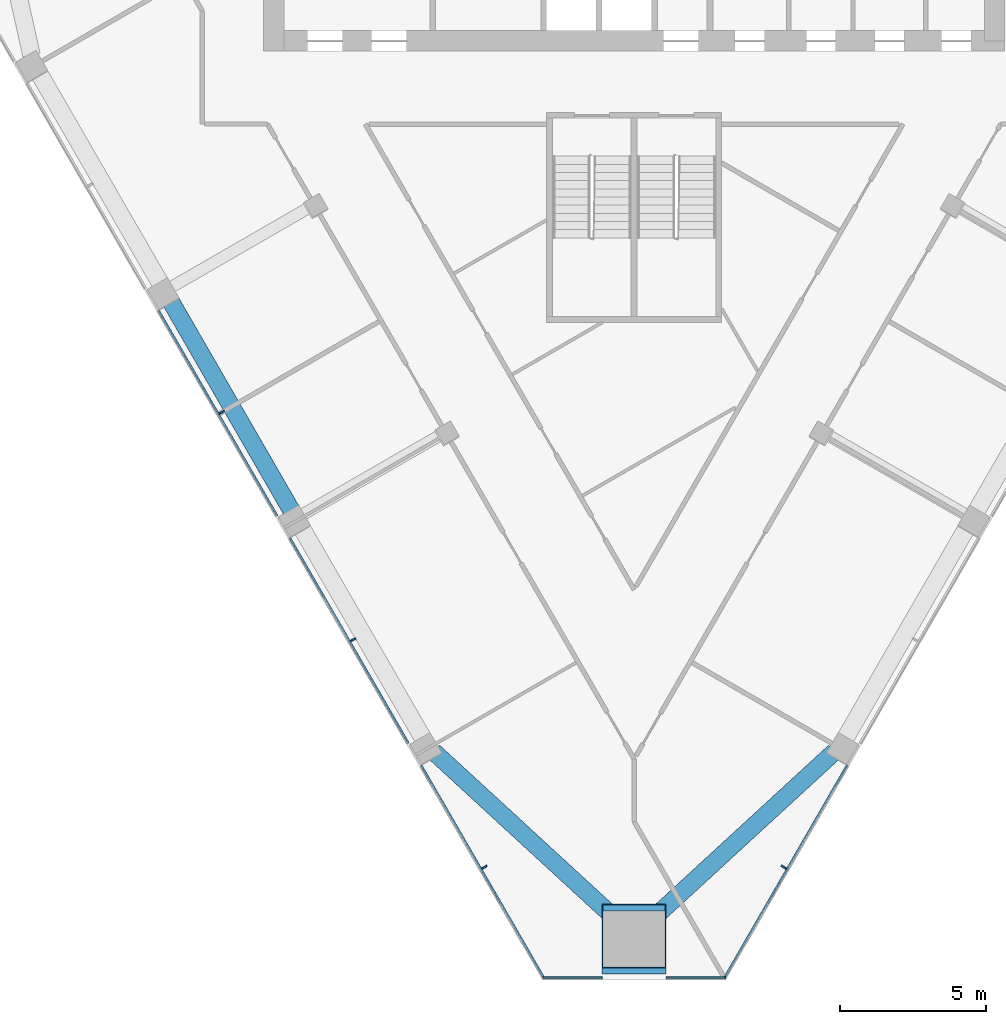
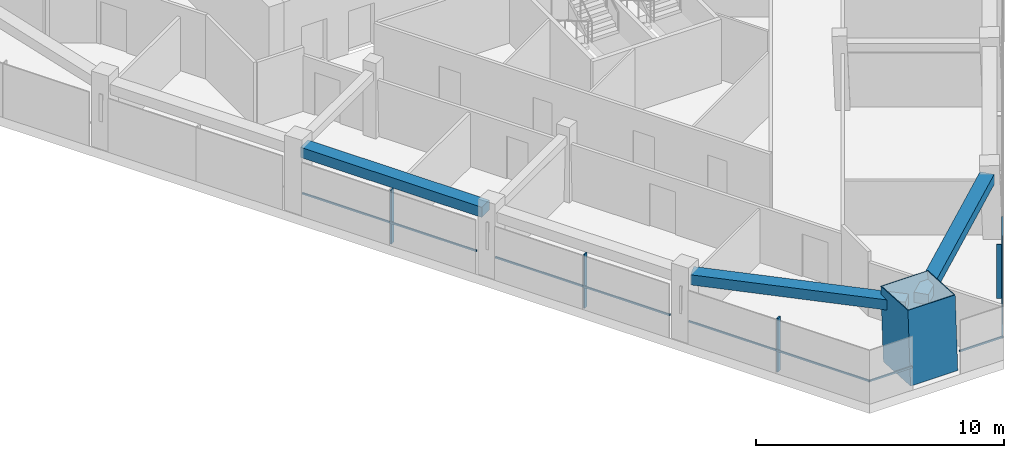
# One storey, part 2 of 13: 11 members, 3 beams, 3 elements without a shape of their own.
"""IFC4 building model written with IfcOpenShell, lengths in metres."""

from ifc_helpers import new_model, si_unit, direction, frame, origin, origin_2d, place, context, subcontext, project, spatial, rectangle, hollow_rectangle, extrude, material, layer, layer_set, material_profile, profile_set, type_object, element, aggregate, save


model = new_model("IFC4")

# Units and contexts
model_context = context("Model", 3, precision=1e-05, world=origin(), true_north=direction((0.0, 1.0)))
body_context = subcontext(model_context, "Body", "Model", "MODEL_VIEW")
ifc_project = project(units=[si_unit("LENGTHUNIT", "METRE"), si_unit("AREAUNIT", "SQUARE_METRE"), si_unit("VOLUMEUNIT", "CUBIC_METRE"), si_unit("PLANEANGLEUNIT", "RADIAN"), si_unit("MASSUNIT", "GRAM", prefix="KILO")], contexts=[model_context])

# Site, building, storey
site_placement = place(None, origin())
site = spatial("IfcSite", under=ifc_project, at=site_placement, CompositionType="ELEMENT")
building_placement = place(site_placement, origin())
building = spatial("IfcBuilding", under=site, at=building_placement, Name="Altiplano Prism Tower", CompositionType="ELEMENT")
storey_placement = place(building_placement, frame((0.0, 0.0, 201.60009765625)))
storey = spatial("IfcBuildingStorey", under=building, at=storey_placement, Name="L52", CompositionType="ELEMENT", Elevation=201.60009765625)

# Curtain wall, members
ifc_material_1 = material(Name="Aluminium and glass", Category="aluminium")
ifc_layer = layer(ifc_material_1, 0.303955078125)
ifc_layer_set = layer_set([ifc_layer], Name="Aluminium and glass")
curtain_wall_type = type_object("IfcCurtainWallType", Name="CW2 lounge-band unitised glazing", PredefinedType="NOTDEFINED", material=ifc_layer_set)
curtain_wall_1_placement = place(storey_placement, origin())
curtain_wall_1 = element("IfcCurtainWall", 1, at=curtain_wall_1_placement, inside=storey, type_object=curtain_wall_type, Name="CW2 curtain wall south-west face L52", PredefinedType="NOTDEFINED")
ifc_material_2 = material(Name="Aluminium", Category="aluminium")
ifc_material_profile_1 = material_profile(ifc_material_2, rectangle(XDim=0.199951171875, YDim=0.06005859375, at=origin_2d()), Name="CW2 mullion 60 x 200")
ifc_profile_set_1 = profile_set([ifc_material_profile_1], Name="Aluminium")
member_type_1 = type_object("IfcMemberType", Name="CW2 mullion 60 x 200", PredefinedType="MULLION", material=ifc_profile_set_1)
member_1_placement = place(storey_placement, frame((70.86962890625, 80.321533203125, 0.0), z_axis=(0.0, 0.0, 1.0), x_axis=(0.866025408017, 0.499999992669, 0.0)))
member_1 = element("IfcMember", 2, at=member_1_placement, type_object=member_type_1, Name="CW2 mullion", PredefinedType="MULLION", context=body_context, shape_type="SweptSolid", body=[
    extrude(rectangle(XDim=0.199951171875, YDim=0.06005859375, at=origin_2d()), origin(), (0.0, 0.0, 1.0), 2.64990234375),
])
member_2_placement = place(storey_placement, frame((75.36962890625, 72.52734375, 0.0), z_axis=(0.0, 0.0, 1.0), x_axis=(0.866025408017, 0.499999992669, 0.0)))
member_2 = element("IfcMember", 3, at=member_2_placement, type_object=member_type_1, Name="CW2 mullion", PredefinedType="MULLION", context=body_context, shape_type="SweptSolid", body=[
    extrude(rectangle(XDim=0.199951171875, YDim=0.06005859375, at=origin_2d()), origin(), (0.0, 0.0, 1.0), 2.64990234375),
])
member_3_placement = place(storey_placement, frame((79.86962890625, 64.73291015625, 0.0), z_axis=(0.0, 0.0, 1.0), x_axis=(0.866025408017, 0.499999992669, 0.0)))
member_3 = element("IfcMember", 4, at=member_3_placement, type_object=member_type_1, Name="CW2 mullion", PredefinedType="MULLION", context=body_context, shape_type="SweptSolid", body=[
    extrude(rectangle(XDim=0.199951171875, YDim=0.06005859375, at=origin_2d()), origin(), (0.0, 0.0, 1.0), 2.64990234375),
])

# Curtain wall, member
curtain_wall_2_placement = place(storey_placement, origin())
curtain_wall_2 = element("IfcCurtainWall", 5, at=curtain_wall_2_placement, inside=storey, type_object=curtain_wall_type, Name="CW2 curtain wall south-east face L52", PredefinedType="NOTDEFINED")
member_4_placement = place(storey_placement, frame((90.13037109375, 64.73291015625, 0.0), z_axis=(0.0, 0.0, 1.0), x_axis=(-0.866025408017, 0.499999992669, 0.0)))
member_4 = element("IfcMember", 6, at=member_4_placement, type_object=member_type_1, Name="CW2 mullion", PredefinedType="MULLION", context=body_context, shape_type="SweptSolid", body=[
    extrude(rectangle(XDim=0.199951171875, YDim=0.06005859375, at=origin_2d()), origin(), (0.0, 0.0, 1.0), 2.64990234375),
])

# Member
ifc_material_profile_2 = material_profile(ifc_material_2, rectangle(XDim=0.06005859375, YDim=0.080078125, at=origin_2d()), Name="CW2 transom 80 x 60")
ifc_profile_set_2 = profile_set([ifc_material_profile_2], Name="Aluminium")
member_type_2 = type_object("IfcMemberType", Name="CW2 transom 80 x 60", PredefinedType="USERDEFINED", material=ifc_profile_set_2)
member_5_placement = place(storey_placement, frame((68.707275390625, 83.806640625, 1.099853515625), z_axis=(0.50001308349, -0.866017849896, 0.0), x_axis=(0.866017849896, 0.50001308349, 0.0)))
member_5 = element("IfcMember", 7, at=member_5_placement, type_object=member_type_2, Name="CW2 transom", ObjectType="TRANSOM", PredefinedType="USERDEFINED", context=body_context, shape_type="SweptSolid", body=[
    extrude(rectangle(XDim=0.06005859375, YDim=0.080078125, at=origin_2d()), origin(), (0.0, 0.0, 1.0), 8.119873046875),
])

member_6_placement = place(storey_placement, frame((73.207275390625, 76.012451171875, 1.099853515625), z_axis=(0.50001308349, -0.866017849896, 0.0), x_axis=(0.866017849896, 0.50001308349, 0.0)))
member_6 = element("IfcMember", 8, at=member_6_placement, type_object=member_type_2, Name="CW2 transom", ObjectType="TRANSOM", PredefinedType="USERDEFINED", context=body_context, shape_type="SweptSolid", body=[
    extrude(rectangle(XDim=0.06005859375, YDim=0.080078125, at=origin_2d()), origin(), (0.0, 0.0, 1.0), 8.119873046875),
])

member_7_placement = place(storey_placement, frame((77.707275390625, 68.21826171875, 1.099853515625), z_axis=(0.500009348256, -0.866020006499, 0.0), x_axis=(0.866020006499, 0.500009348256, 0.0)))
member_7 = element("IfcMember", 9, at=member_7_placement, type_object=member_type_2, Name="CW2 transom", ObjectType="TRANSOM", PredefinedType="USERDEFINED", context=body_context, shape_type="SweptSolid", body=[
    extrude(rectangle(XDim=0.06005859375, YDim=0.080078125, at=origin_2d()), origin(), (0.0, 0.0, 1.0), 8.446533203125),
])

aggregate(curtain_wall_1, [member_1, member_5, member_2, member_6, member_3, member_7])

# Curtain wall, members
curtain_wall_3_placement = place(storey_placement, origin())
curtain_wall_3 = element("IfcCurtainWall", 10, at=curtain_wall_3_placement, inside=storey, type_object=curtain_wall_type, Name="CW2 curtain wall south chamfer L52", PredefinedType="NOTDEFINED")
member_8_placement = place(storey_placement, frame((81.866455078125, 60.9404296875, 1.099853515625), z_axis=(1.0, 0.0, 0.0), x_axis=(0.0, 1.0, 0.0)))
member_8 = element("IfcMember", 11, at=member_8_placement, type_object=member_type_2, Name="CW2 transom", ObjectType="TRANSOM", PredefinedType="USERDEFINED", context=body_context, shape_type="SweptSolid", body=[
    extrude(rectangle(XDim=0.06005859375, YDim=0.080078125, at=origin_2d()), origin(), (0.0, 0.0, 1.0), 2.033447265625),
])
member_9_placement = place(storey_placement, frame((86.10009765625, 60.9404296875, 1.099853515625), z_axis=(1.0, 0.0, 0.0), x_axis=(0.0, 1.0, 0.0)))
member_9 = element("IfcMember", 12, at=member_9_placement, type_object=member_type_2, Name="CW2 transom", ObjectType="TRANSOM", PredefinedType="USERDEFINED", context=body_context, shape_type="SweptSolid", body=[
    extrude(rectangle(XDim=0.06005859375, YDim=0.080078125, at=origin_2d()), origin(), (0.0, 0.0, 1.0), 2.033447265625),
])
aggregate(curtain_wall_3, [member_8, member_9])

# Member
member_10_placement = place(storey_placement, frame((88.0693359375, 60.9033203125, 1.099853515625), z_axis=(0.500009348256, 0.866020006499, 0.0), x_axis=(-0.866020006499, 0.500009348256, 0.0)))
member_10 = element("IfcMember", 13, at=member_10_placement, type_object=member_type_2, Name="CW2 transom", ObjectType="TRANSOM", PredefinedType="USERDEFINED", context=body_context, shape_type="SweptSolid", body=[
    extrude(rectangle(XDim=0.06005859375, YDim=0.080078125, at=origin_2d()), origin(), (0.0, 0.0, 1.0), 8.446533203125),
])

aggregate(curtain_wall_2, [member_4, member_10])

# Beams
ifc_material_3 = material(Name="Concrete C60/75", Category="concrete")
ifc_material_profile_3 = material_profile(ifc_material_3, rectangle(XDim=0.60009765625, YDim=0.5, at=origin_2d()), Name="Edge beam 600x500")
ifc_profile_set_3 = profile_set([ifc_material_profile_3], Name="Concrete C60/75")
beam_type = type_object("IfcBeamType", Name="Edge beam 600x500", PredefinedType="SPANDREL", material=ifc_profile_set_3)
beam_placement = place(storey_placement, frame((69.052734375, 84.237548828125, 2.89990234375), z_axis=(0.500006240468, -0.866021800818, 0.0), x_axis=(0.866021800818, 0.500006240468, 0.0)))
element("IfcBeam", 14, at=beam_placement, inside=storey, type_object=beam_type, Name="Edge beam P12-P13 L53", PredefinedType="SPANDREL", context=body_context, shape_type="SweptSolid", body=[
    extrude(rectangle(XDim=0.60009765625, YDim=0.5, at=origin_2d()), origin(), (0.0, 0.0, 1.0), 8.43994140625),
])
for number, where, z_axis, x_axis, name in (
    (15, (78.133056640625, 68.689208984375, 2.89990234375), (0.736210490241, -0.676752623977, 0.0), (0.676752623977, 0.736210490241, 0.0), "Edge beam P14-M1 L53"),
    (16, (85.331298828125, 62.681396484375, 2.89990234375), (0.736210490241, 0.676752623977, 0.0), (-0.676752623977, 0.736210490241, 0.0), "Edge beam M1-P21 L53"),
):
    element("IfcBeam", number, at=place(storey_placement, frame(where, z_axis=z_axis, x_axis=x_axis)), inside=storey, type_object=beam_type, Name=name, PredefinedType="SPANDREL", context=body_context, shape_type="SweptSolid", body=[
        extrude(rectangle(XDim=0.60009765625, YDim=0.5, at=origin_2d()), origin(), (0.0, 0.0, 1.0), 8.87744140625),
    ])

# Member
ifc_material_4 = material(Name="Steel S460", Category="steel")
ifc_material_profile_4 = material_profile(ifc_material_4, hollow_rectangle(XDim=2.199951171875, YDim=2.199951171875, WallThickness=0.0400390625, at=origin_2d()), Name="Mega column tube 2200")
ifc_profile_set_4 = profile_set([ifc_material_profile_4], Name="Steel S460")
member_type_3 = type_object("IfcMemberType", Name="Mega column tube 2200", PredefinedType="POST", material=ifc_profile_set_4)
member_11_placement = place(storey_placement, frame((85.0, 62.166259765625, 0.0), z_axis=(0.0, 0.058360852261, 0.998295552892), x_axis=(-1.0, 0.0, 0.0)))
element("IfcMember", 17, at=member_11_placement, inside=storey, type_object=member_type_3, Name="Mega column tube M1 L52", PredefinedType="POST", context=body_context, shape_type="SweptSolid", body=[
    extrude(hollow_rectangle(XDim=2.199951171875, YDim=2.199951171875, WallThickness=0.0400390625, at=origin_2d()), origin(), (0.0, 0.0, 1.0), 3.60595703125),
])

save(model, "model.ifc")
